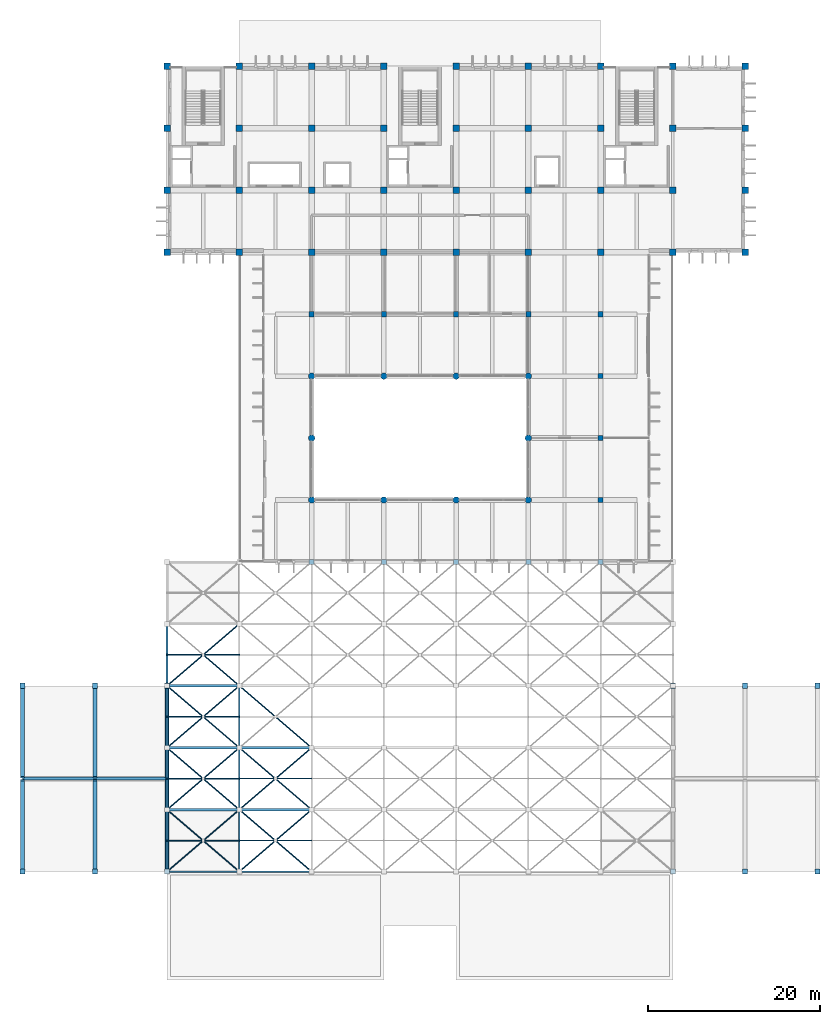
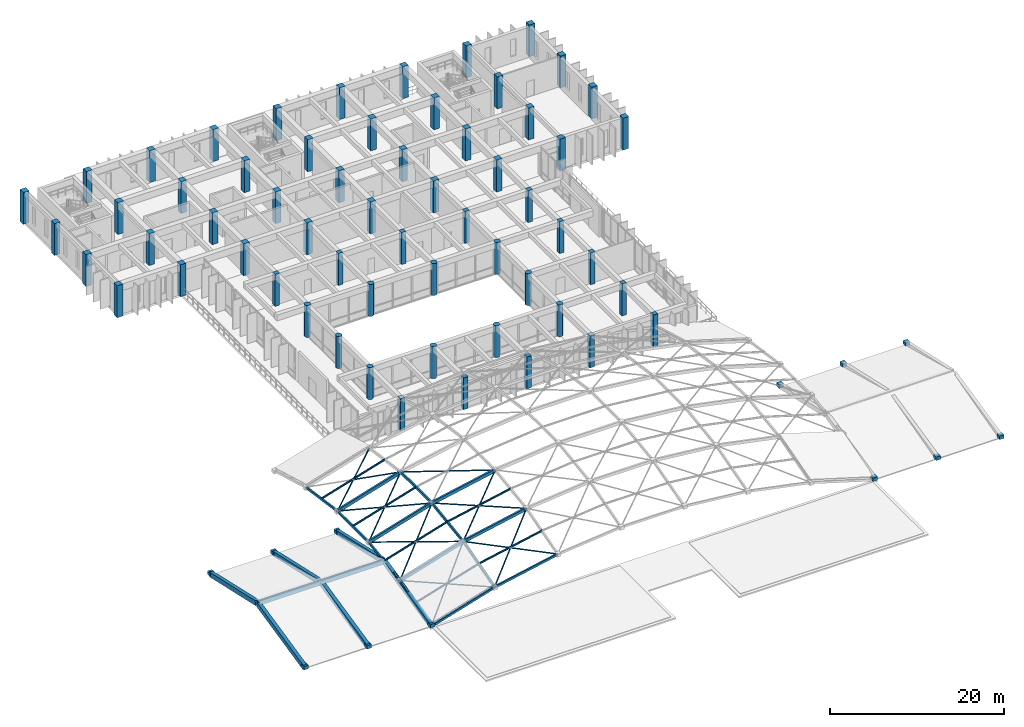
# One storey, part 1 of 23: 71 columns, 39 members, 7 beams.
"""IFC4 building model written with IfcOpenShell, lengths in metres."""

from ifc_helpers import new_model, si_unit, direction, frame, origin, origin_2d, place, context, subcontext, project, spatial, rectangle, hollow_rectangle, circle, hollow_circle, i_section, extrude, material, material_profile, profile_set, type_object, element, save


model = new_model("IFC4")

# Units and contexts
model_context = context("Model", 3, precision=1e-05, world=origin(), true_north=direction((0.0, 1.0)))
body_context = subcontext(model_context, "Body", "Model", "MODEL_VIEW")
ifc_project = project(units=[si_unit("LENGTHUNIT", "METRE"), si_unit("AREAUNIT", "SQUARE_METRE"), si_unit("VOLUMEUNIT", "CUBIC_METRE"), si_unit("PLANEANGLEUNIT", "RADIAN"), si_unit("MASSUNIT", "GRAM", prefix="KILO")], contexts=[model_context])

# Site, building, storey
site_placement = place(None, origin())
site = spatial("IfcSite", under=ifc_project, at=site_placement, CompositionType="ELEMENT")
building_placement = place(site_placement, origin())
building = spatial("IfcBuilding", under=site, at=building_placement, Name="Kenerak Square Central Library", CompositionType="ELEMENT")
storey_placement = place(building_placement, frame((0.0, 0.0, 18.8798828125)))
storey = spatial("IfcBuildingStorey", under=building, at=storey_placement, Name="L04", CompositionType="ELEMENT", Elevation=18.8798828125)

# Columns
ifc_material_1 = material(Name="Concrete C40/50", Category="concrete")
ifc_material_profile_1 = material_profile(ifc_material_1, circle(Radius=0.375, at=origin_2d()), Name="RC D750")
ifc_profile_set_1 = profile_set([ifc_material_profile_1], Name="Concrete C40/50")
column_type_1 = type_object("IfcColumnType", Name="Atrium Column C-13 RC D750 C40/50", PredefinedType="COLUMN", material=ifc_profile_set_1)
for number, where, z_axis, x_axis, name in (
    (1, (75.199951171875, 60.0, 0.0), (0.0, 0.0, 1.0), (1.0, 0.0, 0.0), "Column C-13 L04 9/J"),
    (2, (75.199951171875, 67.199951171875, 0.0), (0.0, 0.0, 1.0), (1.0, 0.0, 0.0), "Column C-13 L04 9/K"),
    (3, (75.199951171875, 74.39990234375, 0.0), (0.0, 0.0, 1.0), (1.0, 0.0, 0.0), "Column C-13 L04 9/L"),
    (4, (83.60009765625, 60.0, 0.0), (0.0, 0.0, 1.0), (1.0, 0.0, 0.0), "Column C-13 L04 10/J"),
    (5, (83.60009765625, 74.39990234375, 0.0), (0.0, 0.0, 1.0), (1.0, 0.0, 0.0), "Column C-13 L04 10/L"),
    (6, (92.0, 60.0, 0.0), (0.0, 0.0, 1.0), (1.0, 0.0, 0.0), "Column C-13 L04 11/J"),
    (7, (92.0, 74.39990234375, 0.0), (0.0, 0.0, 1.0), (1.0, 0.0, 0.0), "Column C-13 L04 11/L"),
    (8, (100.39990234375, 60.0, 0.0), (0.0, 0.0, 1.0), (1.0, 0.0, 0.0), "Column C-13 L04 12/J"),
    (9, (100.39990234375, 67.199951171875, 0.0), (0.0, 0.0, 1.0), (1.0, 0.0, 0.0), "Column C-13 L04 12/K"),
    (10, (100.39990234375, 74.39990234375, 0.0), (0.0, 0.0, 1.0), (1.0, 0.0, 0.0), "Column C-13 L04 12/L"),
):
    element("IfcColumn", number, at=place(storey_placement, frame(where, z_axis=z_axis, x_axis=x_axis)), inside=storey, type_object=column_type_1, Name=name, PredefinedType="COLUMN", context=body_context, shape_type="SweptSolid", body=[
        extrude(circle(Radius=0.375, at=origin_2d()), origin(), (0.0, 0.0, 1.0), 4.480224609375),
    ])
ifc_material_profile_2 = material_profile(ifc_material_1, rectangle(XDim=0.75, YDim=0.75, at=origin_2d()), Name="RC 750x750")
ifc_profile_set_2 = profile_set([ifc_material_profile_2], Name="Concrete C40/50")
column_type_2 = type_object("IfcColumnType", Name="Column C-05 RC 750x750 C40/50", PredefinedType="COLUMN", material=ifc_profile_set_2)
for number, where, z_axis, x_axis, name in (
    (11, (58.39990234375, 88.800048828125, 0.0), (0.0, 0.0, 1.0), (1.0, 0.0, 0.0), "Column C-05 L04 7/N"),
    (12, (58.39990234375, 96.0, 0.0), (0.0, 0.0, 1.0), (1.0, 0.0, 0.0), "Column C-05 L04 7/P"),
    (13, (58.39990234375, 103.199951171875, 0.0), (0.0, 0.0, 1.0), (1.0, 0.0, 0.0), "Column C-05 L04 7/Q"),
    (14, (58.39990234375, 110.39990234375, 0.0), (0.0, 0.0, 1.0), (1.0, 0.0, 0.0), "Column C-05 L04 7/R"),
    (15, (66.800048828125, 88.800048828125, 0.0), (0.0, 0.0, 1.0), (1.0, 0.0, 0.0), "Column C-05 L04 8/N"),
    (16, (66.800048828125, 96.0, 0.0), (0.0, 0.0, 1.0), (1.0, 0.0, 0.0), "Column C-05 L04 8/P"),
    (17, (66.800048828125, 103.199951171875, 0.0), (0.0, 0.0, 1.0), (1.0, 0.0, 0.0), "Column C-05 L04 8/Q"),
    (18, (66.800048828125, 110.39990234375, 0.0), (0.0, 0.0, 1.0), (1.0, 0.0, 0.0), "Column C-05 L04 8/R"),
    (19, (75.199951171875, 88.800048828125, 0.0), (0.0, 0.0, 1.0), (1.0, 0.0, 0.0), "Column C-05 L04 9/N"),
    (20, (75.199951171875, 96.0, 0.0), (0.0, 0.0, 1.0), (1.0, 0.0, 0.0), "Column C-05 L04 9/P"),
    (21, (75.199951171875, 103.199951171875, 0.0), (0.0, 0.0, 1.0), (1.0, 0.0, 0.0), "Column C-05 L04 9/Q"),
    (22, (75.199951171875, 110.39990234375, 0.0), (0.0, 0.0, 1.0), (1.0, 0.0, 0.0), "Column C-05 L04 9/R"),
    (23, (83.60009765625, 88.800048828125, 0.0), (0.0, 0.0, 1.0), (1.0, 0.0, 0.0), "Column C-05 L04 10/N"),
    (24, (83.60009765625, 96.0, 0.0), (0.0, 0.0, 1.0), (1.0, 0.0, 0.0), "Column C-05 L04 10/P"),
    (25, (83.60009765625, 103.199951171875, 0.0), (0.0, 0.0, 1.0), (1.0, 0.0, 0.0), "Column C-05 L04 10/Q"),
    (26, (83.60009765625, 110.39990234375, 0.0), (0.0, 0.0, 1.0), (1.0, 0.0, 0.0), "Column C-05 L04 10/R"),
    (27, (92.0, 88.800048828125, 0.0), (0.0, 0.0, 1.0), (1.0, 0.0, 0.0), "Column C-05 L04 11/N"),
    (28, (92.0, 96.0, 0.0), (0.0, 0.0, 1.0), (1.0, 0.0, 0.0), "Column C-05 L04 11/P"),
    (29, (92.0, 103.199951171875, 0.0), (0.0, 0.0, 1.0), (1.0, 0.0, 0.0), "Column C-05 L04 11/Q"),
    (30, (92.0, 110.39990234375, 0.0), (0.0, 0.0, 1.0), (1.0, 0.0, 0.0), "Column C-05 L04 11/R"),
    (31, (100.39990234375, 88.800048828125, 0.0), (0.0, 0.0, 1.0), (1.0, 0.0, 0.0), "Column C-05 L04 12/N"),
    (32, (100.39990234375, 96.0, 0.0), (0.0, 0.0, 1.0), (1.0, 0.0, 0.0), "Column C-05 L04 12/P"),
    (33, (100.39990234375, 103.199951171875, 0.0), (0.0, 0.0, 1.0), (1.0, 0.0, 0.0), "Column C-05 L04 12/Q"),
    (34, (100.39990234375, 110.39990234375, 0.0), (0.0, 0.0, 1.0), (1.0, 0.0, 0.0), "Column C-05 L04 12/R"),
    (35, (108.800048828125, 88.800048828125, 0.0), (0.0, 0.0, 1.0), (1.0, 0.0, 0.0), "Column C-05 L04 13/N"),
    (36, (108.800048828125, 96.0, 0.0), (0.0, 0.0, 1.0), (1.0, 0.0, 0.0), "Column C-05 L04 13/P"),
    (37, (108.800048828125, 103.199951171875, 0.0), (0.0, 0.0, 1.0), (1.0, 0.0, 0.0), "Column C-05 L04 13/Q"),
    (38, (108.800048828125, 110.39990234375, 0.0), (0.0, 0.0, 1.0), (1.0, 0.0, 0.0), "Column C-05 L04 13/R"),
    (39, (117.199951171875, 88.800048828125, 0.0), (0.0, 0.0, 1.0), (1.0, 0.0, 0.0), "Column C-05 L04 14/N"),
    (40, (117.199951171875, 96.0, 0.0), (0.0, 0.0, 1.0), (1.0, 0.0, 0.0), "Column C-05 L04 14/P"),
    (41, (117.199951171875, 103.199951171875, 0.0), (0.0, 0.0, 1.0), (1.0, 0.0, 0.0), "Column C-05 L04 14/Q"),
    (42, (117.199951171875, 110.39990234375, 0.0), (0.0, 0.0, 1.0), (1.0, 0.0, 0.0), "Column C-05 L04 14/R"),
    (43, (125.60009765625, 88.800048828125, 0.0), (0.0, 0.0, 1.0), (1.0, 0.0, 0.0), "Column C-05 L04 15/N"),
    (44, (125.60009765625, 96.0, 0.0), (0.0, 0.0, 1.0), (1.0, 0.0, 0.0), "Column C-05 L04 15/P"),
    (45, (125.60009765625, 103.199951171875, 0.0), (0.0, 0.0, 1.0), (1.0, 0.0, 0.0), "Column C-05 L04 15/Q"),
    (46, (125.60009765625, 110.39990234375, 0.0), (0.0, 0.0, 1.0), (1.0, 0.0, 0.0), "Column C-05 L04 15/R"),
):
    element("IfcColumn", number, at=place(storey_placement, frame(where, z_axis=z_axis, x_axis=x_axis)), inside=storey, type_object=column_type_2, Name=name, PredefinedType="COLUMN", context=body_context, shape_type="SweptSolid", body=[
        extrude(rectangle(XDim=0.75, YDim=0.75, at=origin_2d()), origin(), (0.0, 0.0, 1.0), 4.480224609375),
    ])
ifc_material_profile_3 = material_profile(ifc_material_1, rectangle(XDim=0.60009765625, YDim=0.60009765625, at=origin_2d()), Name="RC 600x600")
ifc_profile_set_3 = profile_set([ifc_material_profile_3], Name="Concrete C40/50")
column_type_3 = type_object("IfcColumnType", Name="Column C-08 RC 600x600 C40/50", PredefinedType="COLUMN", material=ifc_profile_set_3)
for number, where, z_axis, x_axis, name in (
    (47, (75.199951171875, 52.800048828125, 0.0), (0.0, 0.0, 1.0), (1.0, 0.0, 0.0), "Column C-08 L04 9/H"),
    (48, (75.199951171875, 81.60009765625, 0.0), (0.0, 0.0, 1.0), (1.0, 0.0, 0.0), "Column C-08 L04 9/M"),
    (49, (83.60009765625, 52.800048828125, 0.0), (0.0, 0.0, 1.0), (1.0, 0.0, 0.0), "Column C-08 L04 10/H"),
    (50, (83.60009765625, 81.60009765625, 0.0), (0.0, 0.0, 1.0), (1.0, 0.0, 0.0), "Column C-08 L04 10/M"),
    (51, (92.0, 52.800048828125, 0.0), (0.0, 0.0, 1.0), (1.0, 0.0, 0.0), "Column C-08 L04 11/H"),
    (52, (92.0, 81.60009765625, 0.0), (0.0, 0.0, 1.0), (1.0, 0.0, 0.0), "Column C-08 L04 11/M"),
    (53, (100.39990234375, 52.800048828125, 0.0), (0.0, 0.0, 1.0), (1.0, 0.0, 0.0), "Column C-08 L04 12/H"),
    (54, (100.39990234375, 81.60009765625, 0.0), (0.0, 0.0, 1.0), (1.0, 0.0, 0.0), "Column C-08 L04 12/M"),
    (55, (108.800048828125, 52.800048828125, 0.0), (0.0, 0.0, 1.0), (1.0, 0.0, 0.0), "Column C-08 L04 13/H"),
    (56, (108.800048828125, 60.0, 0.0), (0.0, 0.0, 1.0), (1.0, 0.0, 0.0), "Column C-08 L04 13/J"),
    (57, (108.800048828125, 67.199951171875, 0.0), (0.0, 0.0, 1.0), (1.0, 0.0, 0.0), "Column C-08 L04 13/K"),
    (58, (108.800048828125, 74.39990234375, 0.0), (0.0, 0.0, 1.0), (1.0, 0.0, 0.0), "Column C-08 L04 13/L"),
    (59, (108.800048828125, 81.60009765625, 0.0), (0.0, 0.0, 1.0), (1.0, 0.0, 0.0), "Column C-08 L04 13/M"),
):
    element("IfcColumn", number, at=place(storey_placement, frame(where, z_axis=z_axis, x_axis=x_axis)), inside=storey, type_object=column_type_3, Name=name, PredefinedType="COLUMN", context=body_context, shape_type="SweptSolid", body=[
        extrude(rectangle(XDim=0.60009765625, YDim=0.60009765625, at=origin_2d()), origin(), (0.0, 0.0, 1.0), 4.480224609375),
    ])
for number, where, z_axis, x_axis, name in (
    (60, (41.60009765625, 16.800048828125, 0.0), (0.0, 0.0, 1.0), (1.0, 0.0, 0.0), "Gable Eave Pedestal C-08 W-41-16"),
    (61, (41.60009765625, 38.39990234375, 0.0), (0.0, 0.0, 1.0), (1.0, 0.0, 0.0), "Gable Eave Pedestal C-08 W-41-38"),
    (62, (50.0, 16.800048828125, 0.0), (0.0, 0.0, 1.0), (1.0, 0.0, 0.0), "Gable Eave Pedestal C-08 W-50-16"),
    (63, (50.0, 38.39990234375, 0.0), (0.0, 0.0, 1.0), (1.0, 0.0, 0.0), "Gable Eave Pedestal C-08 W-50-38"),
    (64, (58.39990234375, 16.800048828125, 0.0), (0.0, 0.0, 1.0), (1.0, 0.0, 0.0), "Gable Eave Pedestal C-08 W-58-16"),
    (65, (58.39990234375, 38.39990234375, 0.0), (0.0, 0.0, 1.0), (1.0, 0.0, 0.0), "Gable Eave Pedestal C-08 W-58-38"),
    (66, (117.199951171875, 16.800048828125, 0.0), (0.0, 0.0, 1.0), (1.0, 0.0, 0.0), "Gable Eave Pedestal C-08 E-117-16"),
    (67, (117.199951171875, 38.39990234375, 0.0), (0.0, 0.0, 1.0), (1.0, 0.0, 0.0), "Gable Eave Pedestal C-08 E-117-38"),
    (68, (125.60009765625, 16.800048828125, 0.0), (0.0, 0.0, 1.0), (1.0, 0.0, 0.0), "Gable Eave Pedestal C-08 E-125-16"),
    (69, (125.60009765625, 38.39990234375, 0.0), (0.0, 0.0, 1.0), (1.0, 0.0, 0.0), "Gable Eave Pedestal C-08 E-125-38"),
    (70, (134.0, 16.800048828125, 0.0), (0.0, 0.0, 1.0), (1.0, 0.0, 0.0), "Gable Eave Pedestal C-08 E-134-16"),
    (71, (134.0, 38.39990234375, 0.0), (0.0, 0.0, 1.0), (1.0, 0.0, 0.0), "Gable Eave Pedestal C-08 E-134-38"),
):
    element("IfcColumn", number, at=place(storey_placement, frame(where, z_axis=z_axis, x_axis=x_axis)), inside=storey, type_object=column_type_3, Name=name, PredefinedType="COLUMN", context=body_context, shape_type="SweptSolid", body=[
        extrude(rectangle(XDim=0.60009765625, YDim=0.60009765625, at=origin_2d()), origin(), (0.0, 0.0, 1.0), 0.47021484375),
    ])

# Members
ifc_material_2 = material(Name="Steel S355", Category="steel")
ifc_material_profile_4 = material_profile(ifc_material_2, hollow_rectangle(XDim=0.25, YDim=0.449951171875, WallThickness=0.01611328125, at=origin_2d()), Name="RHS 450x250x16.0")
ifc_profile_set_4 = profile_set([ifc_material_profile_4], Name="Steel S355")
member_type_1 = type_object("IfcMemberType", Name="Gridshell Arch Chord GM-01 RHS 450x250x16 S355", PredefinedType="CHORD", material=ifc_profile_set_4)
member_1_placement = place(storey_placement, frame((58.39990234375, 31.199951171875, 3.072021484375), z_axis=(0.956973160581, 0.0, 0.290176446198), x_axis=(0.0, 1.0, 0.0)))
element("IfcMember", 72, at=member_1_placement, inside=storey, type_object=member_type_1, Name="Gridshell Arch Chord 0015", PredefinedType="CHORD", context=body_context, shape_type="SweptSolid", body=[
    extrude(hollow_rectangle(XDim=0.25, YDim=0.449951171875, WallThickness=0.01611328125, at=origin_2d()), origin(), (0.0, 0.0, 1.0), 8.77783203125),
])
member_2_placement = place(storey_placement, frame((66.800048828125, 31.199951171875, 5.619140625), z_axis=(0.980179807064, 0.0, 0.198109933684), x_axis=(0.0, 1.0, 0.0)))
element("IfcMember", 73, at=member_2_placement, inside=storey, type_object=member_type_1, Name="Gridshell Arch Chord 0016", PredefinedType="CHORD", context=body_context, shape_type="SweptSolid", body=[
    extrude(hollow_rectangle(XDim=0.25, YDim=0.449951171875, WallThickness=0.01611328125, at=origin_2d()), origin(), (0.0, 0.0, 1.0), 8.56982421875),
])
member_3_placement = place(storey_placement, frame((58.39990234375, 38.39990234375, 3.072021484375), z_axis=(0.956973160581, 0.0, 0.290176446198), x_axis=(0.0, 1.0, 0.0)))
element("IfcMember", 74, at=member_3_placement, inside=storey, type_object=member_type_1, Name="Gridshell Arch Chord 0022", PredefinedType="CHORD", context=body_context, shape_type="SweptSolid", body=[
    extrude(hollow_rectangle(XDim=0.25, YDim=0.449951171875, WallThickness=0.01611328125, at=origin_2d()), origin(), (0.0, 0.0, 1.0), 8.77783203125),
])
ifc_material_profile_5 = material_profile(ifc_material_2, hollow_rectangle(XDim=0.25, YDim=0.39990234375, WallThickness=0.012451171875, at=origin_2d()), Name="RHS 400x250x12.5")
ifc_profile_set_5 = profile_set([ifc_material_profile_5], Name="Steel S355")
member_type_2 = type_object("IfcMemberType", Name="Gridshell Arch Rib GM-02 RHS 400x250x12.5 S355", PredefinedType="CHORD", material=ifc_profile_set_5)
member_4_placement = place(storey_placement, frame((58.39990234375, 24.0, 2.048095703125), z_axis=(0.956980883817, 0.0, 0.29015097451), x_axis=(0.0, 1.0, 0.0)))
element("IfcMember", 75, at=member_4_placement, inside=storey, type_object=member_type_2, Name="Gridshell Arch Chord 0008", PredefinedType="CHORD", context=body_context, shape_type="SweptSolid", body=[
    extrude(hollow_rectangle(XDim=0.25, YDim=0.39990234375, WallThickness=0.012451171875, at=origin_2d()), origin(), (0.0, 0.0, 1.0), 8.77783203125),
])
member_5_placement = place(storey_placement, frame((66.800048828125, 24.0, 4.594970703125), z_axis=(0.980174274695, 0.0, 0.198137303973), x_axis=(0.0, 1.0, 0.0)))
element("IfcMember", 76, at=member_5_placement, inside=storey, type_object=member_type_2, Name="Gridshell Arch Chord 0009", PredefinedType="CHORD", context=body_context, shape_type="SweptSolid", body=[
    extrude(hollow_rectangle(XDim=0.25, YDim=0.39990234375, WallThickness=0.012451171875, at=origin_2d()), origin(), (0.0, 0.0, 1.0), 8.56982421875),
])
ifc_material_profile_6 = material_profile(ifc_material_2, hollow_rectangle(XDim=0.199951171875, YDim=0.35009765625, WallThickness=0.012451171875, at=origin_2d()), Name="RHS 350x200x12.5")
ifc_profile_set_6 = profile_set([ifc_material_profile_6], Name="Steel S355")
member_type_3 = type_object("IfcMemberType", Name="Gridshell Cross Rib GM-03 RHS 350x200x12.5 S355", PredefinedType="RAFTER", material=ifc_profile_set_6)
member_6_placement = place(storey_placement, frame((66.800048828125, 16.800048828125, 2.547119140625), z_axis=(0.0, 0.96185064623, 0.273575098185), x_axis=(-1.0, 0.0, 0.0)))
element("IfcMember", 77, at=member_6_placement, inside=storey, type_object=member_type_3, Name="Gridshell Cross Rib 0048", PredefinedType="RAFTER", context=body_context, shape_type="SweptSolid", body=[
    extrude(hollow_rectangle(XDim=0.199951171875, YDim=0.35009765625, WallThickness=0.012451171875, at=origin_2d()), origin(), (0.0, 0.0, 1.0), 7.485595703125),
])
member_7_placement = place(storey_placement, frame((66.800048828125, 24.0, 4.594970703125), z_axis=(0.0, 0.990033914736, 0.140829143546), x_axis=(-1.0, 0.0, 0.0)))
element("IfcMember", 78, at=member_7_placement, inside=storey, type_object=member_type_3, Name="Gridshell Cross Rib 0049", PredefinedType="RAFTER", context=body_context, shape_type="SweptSolid", body=[
    extrude(hollow_rectangle(XDim=0.199951171875, YDim=0.35009765625, WallThickness=0.012451171875, at=origin_2d()), origin(), (0.0, 0.0, 1.0), 7.2724609375),
])
member_8_placement = place(storey_placement, frame((66.800048828125, 31.199951171875, 5.619140625), z_axis=(0.0, 1.0, 0.0), x_axis=(-1.0, 0.0, 0.0)))
element("IfcMember", 79, at=member_8_placement, inside=storey, type_object=member_type_3, Name="Gridshell Cross Rib 0050", PredefinedType="RAFTER", context=body_context, shape_type="SweptSolid", body=[
    extrude(hollow_rectangle(XDim=0.199951171875, YDim=0.35009765625, WallThickness=0.012451171875, at=origin_2d()), origin(), (0.0, 0.0, 1.0), 7.199951171875),
])
ifc_material_profile_7 = material_profile(ifc_material_2, hollow_rectangle(XDim=0.199951171875, YDim=0.300048828125, WallThickness=0.010009765625, at=origin_2d()), Name="RHS 300x200x10.0")
ifc_profile_set_7 = profile_set([ifc_material_profile_7], Name="Steel S355")
member_type_4 = type_object("IfcMemberType", Name="Gridshell Edge Rib GM-04 RHS 300x200x10 S355", PredefinedType="RAFTER", material=ifc_profile_set_7)
member_9_placement = place(storey_placement, frame((58.39990234375, 16.800048828125, 0.0), z_axis=(0.956973160581, 0.0, 0.290176446198), x_axis=(0.0, 1.0, 0.0)))
element("IfcMember", 80, at=member_9_placement, inside=storey, type_object=member_type_4, Name="Gridshell Arch Chord 0001", PredefinedType="RAFTER", context=body_context, shape_type="SweptSolid", body=[
    extrude(hollow_rectangle(XDim=0.199951171875, YDim=0.300048828125, WallThickness=0.010009765625, at=origin_2d()), origin(), (0.0, 0.0, 1.0), 8.77783203125),
])
member_10_placement = place(storey_placement, frame((66.800048828125, 16.800048828125, 2.547119140625), z_axis=(0.980174274695, 0.0, 0.198137303973), x_axis=(0.0, 1.0, 0.0)))
element("IfcMember", 81, at=member_10_placement, inside=storey, type_object=member_type_4, Name="Gridshell Arch Chord 0002", PredefinedType="RAFTER", context=body_context, shape_type="SweptSolid", body=[
    extrude(hollow_rectangle(XDim=0.199951171875, YDim=0.300048828125, WallThickness=0.010009765625, at=origin_2d()), origin(), (0.0, 0.0, 1.0), 8.56982421875),
])
member_11_placement = place(storey_placement, frame((58.39990234375, 16.800048828125, 0.0), z_axis=(0.0, 0.96184206356, 0.273605271819), x_axis=(-1.0, 0.0, 0.0)))
element("IfcMember", 82, at=member_11_placement, inside=storey, type_object=member_type_4, Name="Gridshell Cross Rib 0043", PredefinedType="RAFTER", context=body_context, shape_type="SweptSolid", body=[
    extrude(hollow_rectangle(XDim=0.199951171875, YDim=0.300048828125, WallThickness=0.010009765625, at=origin_2d()), origin(), (0.0, 0.0, 1.0), 7.485595703125),
])
member_12_placement = place(storey_placement, frame((58.39990234375, 24.0, 2.048095703125), z_axis=(0.0, 0.990038594829, 0.140796238402), x_axis=(-1.0, 0.0, 0.0)))
element("IfcMember", 83, at=member_12_placement, inside=storey, type_object=member_type_4, Name="Gridshell Cross Rib 0044", PredefinedType="RAFTER", context=body_context, shape_type="SweptSolid", body=[
    extrude(hollow_rectangle(XDim=0.199951171875, YDim=0.300048828125, WallThickness=0.010009765625, at=origin_2d()), origin(), (0.0, 0.0, 1.0), 7.2724609375),
])
member_13_placement = place(storey_placement, frame((58.39990234375, 31.199951171875, 3.072021484375), z_axis=(0.0, 1.0, 0.0), x_axis=(-1.0, 0.0, 0.0)))
element("IfcMember", 84, at=member_13_placement, inside=storey, type_object=member_type_4, Name="Gridshell Cross Rib 0045", PredefinedType="RAFTER", context=body_context, shape_type="SweptSolid", body=[
    extrude(hollow_rectangle(XDim=0.199951171875, YDim=0.300048828125, WallThickness=0.010009765625, at=origin_2d()), origin(), (0.0, 0.0, 1.0), 7.199951171875),
])
member_14_placement = place(storey_placement, frame((58.39990234375, 38.39990234375, 3.072021484375), z_axis=(0.0, 0.990039260291, -0.140791558988), x_axis=(-1.0, 0.0, 0.0)))
element("IfcMember", 85, at=member_14_placement, inside=storey, type_object=member_type_4, Name="Gridshell Cross Rib 0046", PredefinedType="RAFTER", context=body_context, shape_type="SweptSolid", body=[
    extrude(hollow_rectangle(XDim=0.199951171875, YDim=0.300048828125, WallThickness=0.010009765625, at=origin_2d()), origin(), (0.0, 0.0, 1.0), 7.272705078125),
])
ifc_material_profile_8 = material_profile(ifc_material_2, hollow_circle(Radius=0.084228515625, WallThickness=0.008056640625, at=origin_2d()), Name="CHS 168.3x8.0")
ifc_profile_set_8 = profile_set([ifc_material_profile_8], Name="Steel S355")
member_type_5 = type_object("IfcMemberType", Name="Gridshell Nodal Brace GB-11 CHS 168.3x8 S355", PredefinedType="BRACE", material=ifc_profile_set_8)
member_15_placement = place(storey_placement, frame((58.39990234375, 16.800048828125, 0.0), z_axis=(0.701192778532, 0.60100782491, 0.383560010601), x_axis=(-0.650782286936, 0.759264390716, 0.0)))
element("IfcMember", 86, at=member_15_placement, inside=storey, type_object=member_type_5, Name="Gridshell Diagonal Brace 0083", PredefinedType="BRACE", context=body_context, shape_type="SweptSolid", body=[
    extrude(hollow_circle(Radius=0.084228515625, WallThickness=0.008056640625, at=origin_2d()), origin(), (0.0, 0.0, 1.0), 11.979736328125),
])
for number, where, z_axis, x_axis, name in (
    (87, (66.800048828125, 16.800048828125, 2.547119140625), (-0.758498770329, 0.650116168655, -0.045039789769), (-0.650776580794, -0.75926928154, 0.0), "Gridshell Split Brace Seg 1 0084"),
    (88, (62.52783203125, 20.4619140625, 2.293212890625), (-0.758498770329, 0.650116168655, -0.045039789769), (-0.650776580794, -0.75926928154, 0.0), "Gridshell Split Brace Seg 2 0085"),
):
    element("IfcMember", number, at=place(storey_placement, frame(where, z_axis=z_axis, x_axis=x_axis)), inside=storey, type_object=member_type_5, Name=name, PredefinedType="BRACE", context=body_context, shape_type="SweptSolid", body=[
        extrude(hollow_circle(Radius=0.084228515625, WallThickness=0.008056640625, at=origin_2d()), origin(), (0.0, 0.0, 1.0), 5.442138671875),
    ])
member_16_placement = place(storey_placement, frame((58.39990234375, 24.0, 2.048095703125), z_axis=(0.722557170852, 0.619319717662, 0.307171323802), x_axis=(-0.650782286936, 0.759264390716, 0.0)))
element("IfcMember", 89, at=member_16_placement, inside=storey, type_object=member_type_5, Name="Gridshell Diagonal Brace 0087", PredefinedType="BRACE", context=body_context, shape_type="SweptSolid", body=[
    extrude(hollow_circle(Radius=0.084228515625, WallThickness=0.008056640625, at=origin_2d()), origin(), (0.0, 0.0, 1.0), 11.62548828125),
])
for number, where, z_axis, x_axis, name in (
    (90, (66.800048828125, 24.0, 4.594970703125), (-0.752171368777, 0.644711962062, -0.136325778801), (-0.650787676016, -0.759259771584, 0.0), "Gridshell Split Brace Seg 1 0088"),
    (91, (62.528564453125, 27.6611328125, 3.820556640625), (-0.752166807262, 0.64470805223, -0.13636943002), (-0.650787676016, -0.759259771584, 0.0), "Gridshell Split Brace Seg 2 0089"),
):
    element("IfcMember", number, at=place(storey_placement, frame(where, z_axis=z_axis, x_axis=x_axis)), inside=storey, type_object=member_type_5, Name=name, PredefinedType="BRACE", context=body_context, shape_type="SweptSolid", body=[
        extrude(hollow_circle(Radius=0.084228515625, WallThickness=0.008056640625, at=origin_2d()), origin(), (0.0, 0.0, 1.0), 5.489013671875),
    ])
member_17_placement = place(storey_placement, frame((58.39990234375, 31.199951171875, 3.072021484375), z_axis=(0.739908413591, 0.634191851228, 0.224357383061), x_axis=(-0.650782286936, 0.759264390716, 0.0)))
element("IfcMember", 92, at=member_17_placement, inside=storey, type_object=member_type_5, Name="Gridshell Diagonal Brace 0091", PredefinedType="BRACE", context=body_context, shape_type="SweptSolid", body=[
    extrude(hollow_circle(Radius=0.084228515625, WallThickness=0.008056640625, at=origin_2d()), origin(), (0.0, 0.0, 1.0), 11.35302734375),
])
member_18_placement = place(storey_placement, frame((66.800048828125, 31.199951171875, 5.619140625), z_axis=(-0.739892555068, 0.634212365115, -0.224351694646), x_axis=(-0.650802462875, -0.759247097009, 0.0)))
element("IfcMember", 93, at=member_18_placement, inside=storey, type_object=member_type_5, Name="Gridshell Split Brace Seg 1 0092", PredefinedType="BRACE", context=body_context, shape_type="SweptSolid", body=[
    extrude(hollow_circle(Radius=0.084228515625, WallThickness=0.008056640625, at=origin_2d()), origin(), (0.0, 0.0, 1.0), 5.581298828125),
])
member_19_placement = place(storey_placement, frame((62.52978515625, 34.860107421875, 4.32421875), z_axis=(-0.739912349852, 0.634191839708, -0.224344433814), x_axis=(-0.650780284276, -0.759266107236, 0.0)))
element("IfcMember", 94, at=member_19_placement, inside=storey, type_object=member_type_5, Name="Gridshell Split Brace Seg 2 0093", PredefinedType="BRACE", context=body_context, shape_type="SweptSolid", body=[
    extrude(hollow_circle(Radius=0.084228515625, WallThickness=0.008056640625, at=origin_2d()), origin(), (0.0, 0.0, 1.0), 5.58154296875),
])
member_20_placement = place(storey_placement, frame((58.39990234375, 38.39990234375, 3.072021484375), z_axis=(0.752160835631, 0.644715533596, 0.136366997781), x_axis=(-0.650795007986, 0.759253487039, 0.0)))
element("IfcMember", 95, at=member_20_placement, inside=storey, type_object=member_type_5, Name="Gridshell Diagonal Brace 0095", PredefinedType="BRACE", context=body_context, shape_type="SweptSolid", body=[
    extrude(hollow_circle(Radius=0.084228515625, WallThickness=0.008056640625, at=origin_2d()), origin(), (0.0, 0.0, 1.0), 11.16796875),
])
member_21_placement = place(storey_placement, frame((66.800048828125, 38.39990234375, 5.619140625), z_axis=(-0.722540654317, 0.619338860115, -0.307171579432), x_axis=(-0.650802458288, -0.759247100941, 0.0)))
element("IfcMember", 96, at=member_21_placement, inside=storey, type_object=member_type_5, Name="Gridshell Split Brace Seg 1 0096", PredefinedType="BRACE", context=body_context, shape_type="SweptSolid", body=[
    extrude(hollow_circle(Radius=0.084228515625, WallThickness=0.008056640625, at=origin_2d()), origin(), (0.0, 0.0, 1.0), 5.7177734375),
])
member_22_placement = place(storey_placement, frame((66.800048828125, 16.800048828125, 2.547119140625), z_axis=(0.719152205358, 0.616419162013, 0.320698491159), x_axis=(-0.650793190779, 0.759255044656, 0.0)))
element("IfcMember", 97, at=member_22_placement, inside=storey, type_object=member_type_5, Name="Gridshell Diagonal Brace 0103", PredefinedType="BRACE", context=body_context, shape_type="SweptSolid", body=[
    extrude(hollow_circle(Radius=0.084228515625, WallThickness=0.008056640625, at=origin_2d()), origin(), (0.0, 0.0, 1.0), 11.68017578125),
])
for number, where, z_axis, x_axis, name in (
    (98, (75.199951171875, 16.800048828125, 4.2451171875), (-0.758890147353, 0.650451621448, 0.031597981058), (-0.650776580794, -0.75926928154, 0.0), "Gridshell Split Brace Seg 1 0104"),
    (99, (70.927978515625, 20.4619140625, 4.423095703125), (-0.758890147353, 0.650451621448, 0.031597981058), (-0.650776580794, -0.75926928154, 0.0), "Gridshell Split Brace Seg 2 0105"),
):
    element("IfcMember", number, at=place(storey_placement, frame(where, z_axis=z_axis, x_axis=x_axis)), inside=storey, type_object=member_type_5, Name=name, PredefinedType="BRACE", context=body_context, shape_type="SweptSolid", body=[
        extrude(hollow_circle(Radius=0.084228515625, WallThickness=0.008056640625, at=origin_2d()), origin(), (0.0, 0.0, 1.0), 5.439453125),
    ])
member_23_placement = place(storey_placement, frame((66.800048828125, 24.0, 4.594970703125), z_axis=(0.737269001192, 0.631947919379, 0.238906356284), x_axis=(-0.650793190779, 0.759255044656, 0.0)))
element("IfcMember", 100, at=member_23_placement, inside=storey, type_object=member_type_5, Name="Gridshell Diagonal Brace 0107", PredefinedType="BRACE", context=body_context, shape_type="SweptSolid", body=[
    extrude(hollow_circle(Radius=0.084228515625, WallThickness=0.008056640625, at=origin_2d()), origin(), (0.0, 0.0, 1.0), 11.393310546875),
])
for number, where, z_axis, x_axis, name in (
    (101, (75.199951171875, 24.0, 6.29296875), (-0.757843475813, 0.649599331379, -0.060778078614), (-0.650802467466, -0.759247093073, 0.0), "Gridshell Split Brace Seg 1 0108"),
    (102, (70.927978515625, 27.66162109375, 5.9501953125), (-0.757843475813, 0.649599331379, -0.060778078614), (-0.650802467466, -0.759247093073, 0.0), "Gridshell Split Brace Seg 2 0109"),
):
    element("IfcMember", number, at=place(storey_placement, frame(where, z_axis=z_axis, x_axis=x_axis)), inside=storey, type_object=member_type_5, Name=name, PredefinedType="BRACE", context=body_context, shape_type="SweptSolid", body=[
        extrude(hollow_circle(Radius=0.084228515625, WallThickness=0.008056640625, at=origin_2d()), origin(), (0.0, 0.0, 1.0), 5.447021484375),
    ])
for number, where, z_axis, x_axis, name in (
    (103, (75.199951171875, 31.199951171875, 7.31689453125), (-0.750453027281, 0.643283489058, -0.151679288466), (-0.650813557123, -0.759237587231, 0.0), "Gridshell Split Brace Seg 1 0112"),
    (104, (70.9287109375, 34.861083984375, 6.45361328125), (-0.750474450452, 0.643257474975, -0.151683618452), (-0.650787676016, -0.759259771584, 0.0), "Gridshell Split Brace Seg 2 0113"),
):
    element("IfcMember", number, at=place(storey_placement, frame(where, z_axis=z_axis, x_axis=x_axis)), inside=storey, type_object=member_type_5, Name=name, PredefinedType="BRACE", context=body_context, shape_type="SweptSolid", body=[
        extrude(hollow_circle(Radius=0.084228515625, WallThickness=0.008056640625, at=origin_2d()), origin(), (0.0, 0.0, 1.0), 5.50146484375),
    ])

# Beams
ifc_material_profile_9 = material_profile(ifc_material_1, rectangle(XDim=0.449951171875, YDim=0.64990234375, at=origin_2d()), Name="RC 450x650")
ifc_profile_set_9 = profile_set([ifc_material_profile_9], Name="Concrete C40/50")
beam_type_1 = type_object("IfcBeamType", Name="Mezzanine Frame Beam B-06 RC 450x650 C40/50", PredefinedType="BEAM", material=ifc_profile_set_9)
for number, where, z_axis, x_axis, name in (
    (105, (41.60009765625, 16.800048828125, 0.14013671875), (0.0, 0.975820589119, 0.218573049235), (-1.0, 0.0, 0.0), "Gable Concrete Beam B-06 W-41-16"),
    (106, (41.60009765625, 38.39990234375, 0.14013671875), (0.0, -0.975820589119, 0.218573049235), (1.0, 0.0, 0.0), "Gable Concrete Beam B-06 W-41-38"),
    (107, (50.0, 16.800048828125, 0.14013671875), (0.0, 0.975820589119, 0.218573049235), (-1.0, 0.0, 0.0), "Gable Concrete Beam B-06 W-50-16"),
    (108, (50.0, 38.39990234375, 0.14013671875), (0.0, -0.975820589119, 0.218573049235), (1.0, 0.0, 0.0), "Gable Concrete Beam B-06 W-50-38"),
    (109, (58.39990234375, 16.800048828125, 0.14013671875), (0.0, 0.975820589119, 0.218573049235), (-1.0, 0.0, 0.0), "Gable Concrete Beam B-06 W-58-16"),
    (110, (58.39990234375, 38.39990234375, 0.14013671875), (0.0, -0.975820589119, 0.218573049235), (1.0, 0.0, 0.0), "Gable Concrete Beam B-06 W-58-38"),
):
    element("IfcBeam", number, at=place(storey_placement, frame(where, z_axis=z_axis, x_axis=x_axis)), inside=storey, type_object=beam_type_1, Name=name, PredefinedType="BEAM", context=body_context, shape_type="SweptSolid", body=[
        extrude(rectangle(XDim=0.449951171875, YDim=0.64990234375, at=origin_2d()), origin(), (0.0, 0.0, 1.0), 10.88818359375),
    ])
ifc_material_profile_10 = material_profile(ifc_material_1, rectangle(XDim=0.35009765625, YDim=0.550048828125, at=origin_2d()), Name="RC 350x550")
ifc_profile_set_10 = profile_set([ifc_material_profile_10], Name="Concrete C40/50")
beam_type_2 = type_object("IfcBeamType", Name="Roof Edge Beam B-07 RC 350x550 C40/50", PredefinedType="BEAM", material=ifc_profile_set_10)
beam_placement = place(storey_placement, frame((41.60009765625, 27.60009765625, 2.570068359375), z_axis=(1.0, 0.0, 0.0), x_axis=(0.0, 1.0, 0.0)))
element("IfcBeam", 111, at=beam_placement, inside=storey, type_object=beam_type_2, Name="Gable Ridge Concrete Beam B-07 W", PredefinedType="BEAM", context=body_context, shape_type="SweptSolid", body=[
    extrude(rectangle(XDim=0.35009765625, YDim=0.550048828125, at=origin_2d()), origin(), (0.0, 0.0, 1.0), 16.7998046875),
])

# Members
ifc_material_profile_11 = material_profile(ifc_material_2, i_section(OverallWidth=0.1201171875, OverallDepth=0.239990234375, WebThickness=0.006103515625, FlangeThickness=0.009765625, FilletRadius=0.014892578125, at=origin_2d()), Name="IPE 240")
ifc_profile_set_11 = profile_set([ifc_material_profile_11], Name="Steel S355")
member_type_6 = type_object("IfcMemberType", Name="Roof Steel Purlin PR-01 IPE 240 S355", PredefinedType="PURLIN", material=ifc_profile_set_11)
for number, where, z_axis, x_axis, name in (
    (112, (58.39990234375, 20.39990234375, 1.119140625), (0.956980883817, 0.0, 0.29015097451), (0.0, 1.0, 0.0), "Gridshell Purlin PR-01 0086"),
    (113, (58.39990234375, 27.60009765625, 2.655029296875), (0.956973160581, 0.0, 0.290176446198), (0.0, 1.0, 0.0), "Gridshell Purlin PR-01 0090"),
    (114, (58.39990234375, 34.800048828125, 3.167236328125), (0.956980883817, 0.0, 0.29015097451), (0.0, 1.0, 0.0), "Gridshell Purlin PR-01 0094"),
    (115, (58.39990234375, 42.0, 2.655029296875), (0.956973160581, 0.0, 0.290176446198), (0.0, 1.0, 0.0), "Gridshell Purlin PR-01 0098"),
):
    element("IfcMember", number, at=place(storey_placement, frame(where, z_axis=z_axis, x_axis=x_axis)), inside=storey, type_object=member_type_6, Name=name, PredefinedType="PURLIN", context=body_context, shape_type="SweptSolid", body=[
        extrude(i_section(OverallWidth=0.1201171875, OverallDepth=0.239990234375, WebThickness=0.006103515625, FlangeThickness=0.009765625, FilletRadius=0.014892578125, at=origin_2d()), origin(), (0.0, 0.0, 1.0), 8.77783203125),
    ])
for number, where, z_axis, x_axis, name in (
    (116, (66.800048828125, 20.39990234375, 3.666015625), (0.980174274695, 0.0, 0.198137303973), (0.0, 1.0, 0.0), "Gridshell Purlin PR-01 0106"),
    (117, (66.800048828125, 27.60009765625, 5.2021484375), (0.980179807064, 0.0, 0.198109933684), (0.0, 1.0, 0.0), "Gridshell Purlin PR-01 0110"),
):
    element("IfcMember", number, at=place(storey_placement, frame(where, z_axis=z_axis, x_axis=x_axis)), inside=storey, type_object=member_type_6, Name=name, PredefinedType="PURLIN", context=body_context, shape_type="SweptSolid", body=[
        extrude(i_section(OverallWidth=0.1201171875, OverallDepth=0.239990234375, WebThickness=0.006103515625, FlangeThickness=0.009765625, FilletRadius=0.014892578125, at=origin_2d()), origin(), (0.0, 0.0, 1.0), 8.56982421875),
    ])

save(model, "model.ifc")
